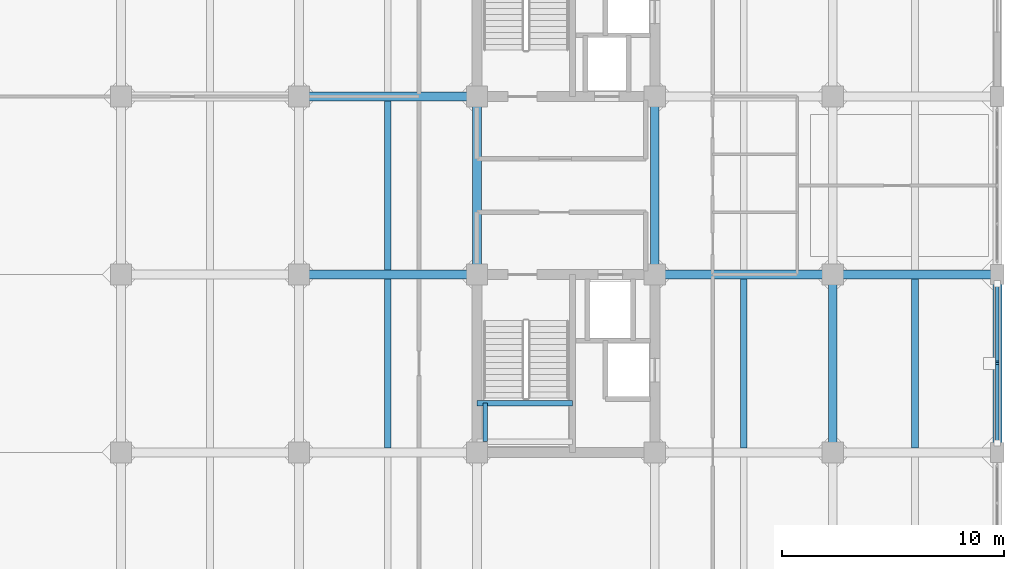
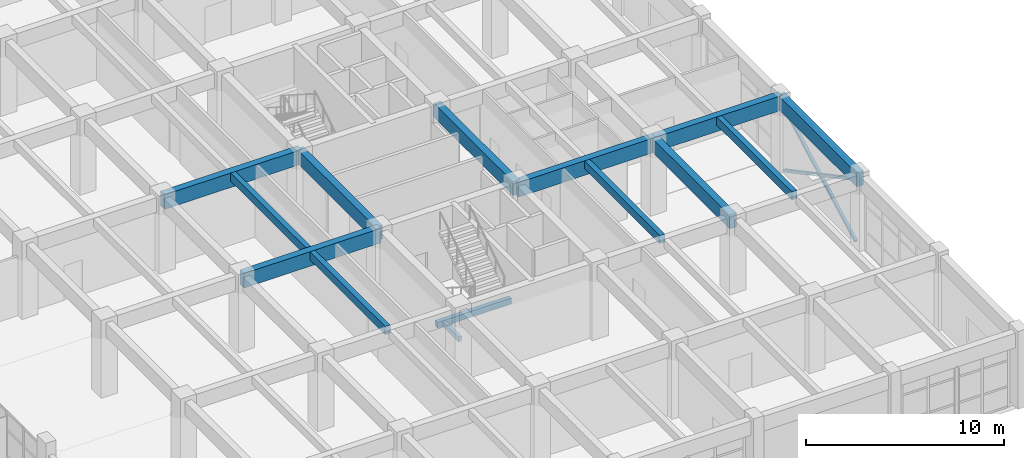
# One storey, part 31 of 63: 14 beams, 3 members.
"""IFC4 building model written with IfcOpenShell, lengths in metres."""

from ifc_helpers import new_model, si_unit, direction, frame, origin, origin_2d, place, context, subcontext, project, spatial, rectangle, hollow_rectangle, extrude, material, material_profile, profile_set, type_object, element, save


model = new_model("IFC4")

# Units and contexts
model_context = context("Model", 3, precision=1e-05, world=origin(), true_north=direction((0.0, 1.0)))
body_context = subcontext(model_context, "Body", "Model", "MODEL_VIEW")
ifc_project = project(units=[si_unit("LENGTHUNIT", "METRE"), si_unit("AREAUNIT", "SQUARE_METRE"), si_unit("VOLUMEUNIT", "CUBIC_METRE"), si_unit("PLANEANGLEUNIT", "RADIAN"), si_unit("MASSUNIT", "GRAM", prefix="KILO")], contexts=[model_context])

# Site, building, storey
site_placement = place(None, origin())
site = spatial("IfcSite", under=ifc_project, at=site_placement, CompositionType="ELEMENT")
building_placement = place(site_placement, origin())
building = spatial("IfcBuilding", under=site, at=building_placement, Name="Canggui Botanical Conservatory", CompositionType="ELEMENT")
storey_placement = place(building_placement, frame((0.0, 0.0, 10.199951171875)))
storey = spatial("IfcBuildingStorey", under=building, at=storey_placement, Name="L03", CompositionType="ELEMENT", Elevation=10.199951171875)

# Beams
ifc_material_1 = material(Name="Concrete C35", Category="concrete")
ifc_material_profile_1 = material_profile(ifc_material_1, rectangle(XDim=0.300048828125, YDim=0.5, at=origin_2d()), Name="RB 300x500")
ifc_profile_set_1 = profile_set([ifc_material_profile_1], Name="Concrete C35")
beam_type_1 = type_object("IfcBeamType", Name="BM-JST02", PredefinedType="JOIST", material=ifc_profile_set_1)
for number, where, z_axis, x_axis, name in (
    (1, (150.0, 42.205078125, 4.300048828125), (0.0, 1.0, 0.0), (-1.0, 0.0, 0.0), "Secondary Floor Joist L03-2-3"),
    (2, (150.0, 50.205078125, 4.300048828125), (0.0, 1.0, 0.0), (-1.0, 0.0, 0.0), "Secondary Floor Joist L03-2-4"),
    (3, (166.0, 42.205078125, 4.300048828125), (0.0, 1.0, 0.0), (-1.0, 0.0, 0.0), "Secondary Floor Joist L03-4-3"),
    (4, (173.699951171875, 42.205078125, 4.300048828125), (0.0, 1.0, 0.0), (-1.0, 0.0, 0.0), "Secondary Floor Joist L03-5-3"),
):
    element("IfcBeam", number, at=place(storey_placement, frame(where, z_axis=z_axis, x_axis=x_axis)), inside=storey, type_object=beam_type_1, Name=name, PredefinedType="JOIST", context=body_context, shape_type="SweptSolid", body=[
        extrude(rectangle(XDim=0.300048828125, YDim=0.5, at=origin_2d()), origin(), (0.0, 0.0, 1.0), 7.58984375),
    ])
ifc_material_profile_2 = material_profile(ifc_material_1, rectangle(XDim=0.39990234375, YDim=0.89990234375, at=origin_2d()), Name="RB 400x900")
ifc_profile_set_2 = profile_set([ifc_material_profile_2], Name="Concrete C35")
beam_type_2 = type_object("IfcBeamType", Name="BM-KL07", PredefinedType="BEAM", material=ifc_profile_set_2)
for number, where, z_axis, x_axis, name in (
    (5, (146.0, 50.0, 4.10009765625), (1.0, 0.0, 0.0), (0.0, 1.0, 0.0), "Frame Girder L03 Y50-2"),
    (6, (162.0, 50.0, 4.10009765625), (1.0, 0.0, 0.0), (0.0, 1.0, 0.0), "Frame Girder L03 Y50-4"),
):
    element("IfcBeam", number, at=place(storey_placement, frame(where, z_axis=z_axis, x_axis=x_axis)), inside=storey, type_object=beam_type_2, Name=name, PredefinedType="BEAM", context=body_context, shape_type="SweptSolid", body=[
        extrude(rectangle(XDim=0.39990234375, YDim=0.89990234375, at=origin_2d()), origin(), (0.0, 0.0, 1.0), 8.0),
    ])
beam_1_placement = place(storey_placement, frame((170.0, 50.0, 4.10009765625), z_axis=(1.0, 0.0, 0.0), x_axis=(0.0, 1.0, 0.0)))
element("IfcBeam", 7, at=beam_1_placement, inside=storey, type_object=beam_type_2, Name="Frame Girder L03 Y50-5", PredefinedType="BEAM", context=body_context, shape_type="SweptSolid", body=[
    extrude(rectangle(XDim=0.39990234375, YDim=0.89990234375, at=origin_2d()), origin(), (0.0, 0.0, 1.0), 7.39990234375),
])
beam_2_placement = place(storey_placement, frame((146.0, 58.0, 4.10009765625), z_axis=(1.0, 0.0, 0.0), x_axis=(0.0, 1.0, 0.0)))
element("IfcBeam", 8, at=beam_2_placement, inside=storey, type_object=beam_type_2, Name="Frame Girder L03 Y58-2", PredefinedType="BEAM", context=body_context, shape_type="SweptSolid", body=[
    extrude(rectangle(XDim=0.39990234375, YDim=0.89990234375, at=origin_2d()), origin(), (0.0, 0.0, 1.0), 8.0),
])
ifc_material_profile_3 = material_profile(ifc_material_1, rectangle(XDim=0.39990234375, YDim=0.85009765625, at=origin_2d()), Name="RB 400x850")
ifc_profile_set_3 = profile_set([ifc_material_profile_3], Name="Concrete C35")
beam_type_3 = type_object("IfcBeamType", Name="BM-KL08", PredefinedType="BEAM", material=ifc_profile_set_3)
for number, where, z_axis, x_axis, name in (
    (9, (154.0, 50.0, 4.125), (0.0, 1.0, 0.0), (-1.0, 0.0, 0.0), "Frame Girder L03 X154-4"),
    (10, (162.0, 50.0, 4.125), (0.0, 1.0, 0.0), (-1.0, 0.0, 0.0), "Frame Girder L03 X162-4"),
    (11, (170.0, 42.0, 4.125), (0.0, 1.0, 0.0), (-1.0, 0.0, 0.0), "Frame Girder L03 X170-3"),
    (12, (177.39990234375, 42.0, 4.125), (0.0, 1.0, 0.0), (-1.0, 0.0, 0.0), "Frame Girder L03 X178-3"),
):
    element("IfcBeam", number, at=place(storey_placement, frame(where, z_axis=z_axis, x_axis=x_axis)), inside=storey, type_object=beam_type_3, Name=name, PredefinedType="BEAM", context=body_context, shape_type="SweptSolid", body=[
        extrude(rectangle(XDim=0.39990234375, YDim=0.85009765625, at=origin_2d()), origin(), (0.0, 0.0, 1.0), 8.0),
    ])
ifc_material_profile_4 = material_profile(ifc_material_1, rectangle(XDim=0.239990234375, YDim=0.360107421875, at=origin_2d()), Name="RB 240x360")
ifc_profile_set_4 = profile_set([ifc_material_profile_4], Name="Concrete C35")
beam_type_4 = type_object("IfcBeamType", Name="BM-LIN01", PredefinedType="LINTEL", material=ifc_profile_set_4)
beam_3_placement = place(storey_placement, frame((154.0, 44.216552734375, 2.02001953125), z_axis=(1.0, 0.0, 0.0), x_axis=(0.0, 1.0, 0.0)))
element("IfcBeam", 13, at=beam_3_placement, inside=storey, type_object=beam_type_4, Name="ST-T1 Half-Landing Ledger Beam L03-1.2", PredefinedType="LINTEL", context=body_context, shape_type="SweptSolid", body=[
    extrude(rectangle(XDim=0.239990234375, YDim=0.360107421875, at=origin_2d()), origin(), (0.0, 0.0, 1.0), 4.300048828125),
])
ifc_material_profile_5 = material_profile(ifc_material_1, rectangle(XDim=0.199951171875, YDim=0.320068359375, at=origin_2d()), Name="RB 200x320")
ifc_profile_set_5 = profile_set([ifc_material_profile_5], Name="Concrete C35")
beam_type_5 = type_object("IfcBeamType", Name="BM-LIN02", PredefinedType="LINTEL", material=ifc_profile_set_5)
beam_4_placement = place(storey_placement, frame((154.3798828125, 42.47998046875, 2.02001953125), z_axis=(0.0, 1.0, 0.0), x_axis=(-1.0, 0.0, 0.0)))
element("IfcBeam", 14, at=beam_4_placement, inside=storey, type_object=beam_type_5, Name="ST-T1 Half-Landing Edge Ledger L03-1.3", PredefinedType="LINTEL", context=body_context, shape_type="SweptSolid", body=[
    extrude(rectangle(XDim=0.199951171875, YDim=0.320068359375, at=origin_2d()), origin(), (0.0, 0.0, 1.0), 1.736572265625),
])

# Members
ifc_material_2 = material(Name="Steel Q355B", Category="steel")
ifc_material_profile_6 = material_profile(ifc_material_2, hollow_rectangle(XDim=0.159912109375, YDim=0.159912109375, WallThickness=0.008056640625, at=origin_2d()), Name="SHS 160x160x8")
ifc_profile_set_6 = profile_set([ifc_material_profile_6], Name="Steel Q355B")
member_type = type_object("IfcMemberType", Name="MEM-ZC04", PredefinedType="BRACE", material=ifc_profile_set_6)
member_placement = place(storey_placement, frame((177.39990234375, 42.419921875, 0.050048828125), z_axis=(0.0, 0.882285478712, 0.470714705585), x_axis=(-1.0, 0.0, 0.0)))
element("IfcMember", 15, at=member_placement, inside=storey, type_object=member_type, Name="Seismic Concentric X-Brace Continuous Diagonal L03-A", PredefinedType="BRACE", context=body_context, shape_type="SweptSolid", body=[
    extrude(hollow_rectangle(XDim=0.159912109375, YDim=0.159912109375, WallThickness=0.008056640625, at=origin_2d()), origin(), (0.0, 0.0, 1.0), 8.115478515625),
])
for number, where, z_axis, x_axis, name in (
    (16, (177.39990234375, 49.580078125, 0.050048828125), (0.0, -0.882288208532, 0.470709588902), (1.0, 0.0, 0.0), "Seismic Concentric X-Brace Lower Split Diagonal L03-B1"),
    (17, (177.39990234375, 45.920654296875, 2.00244140625), (0.0, -0.882288208532, 0.470709588902), (1.0, 0.0, 0.0), "Seismic Concentric X-Brace Upper Split Diagonal L03-B2"),
):
    element("IfcMember", number, at=place(storey_placement, frame(where, z_axis=z_axis, x_axis=x_axis)), inside=storey, type_object=member_type, Name=name, PredefinedType="BRACE", context=body_context, shape_type="SweptSolid", body=[
        extrude(hollow_rectangle(XDim=0.159912109375, YDim=0.159912109375, WallThickness=0.008056640625, at=origin_2d()), origin(), (0.0, 0.0, 1.0), 3.9677734375),
    ])

save(model, "model.ifc")
